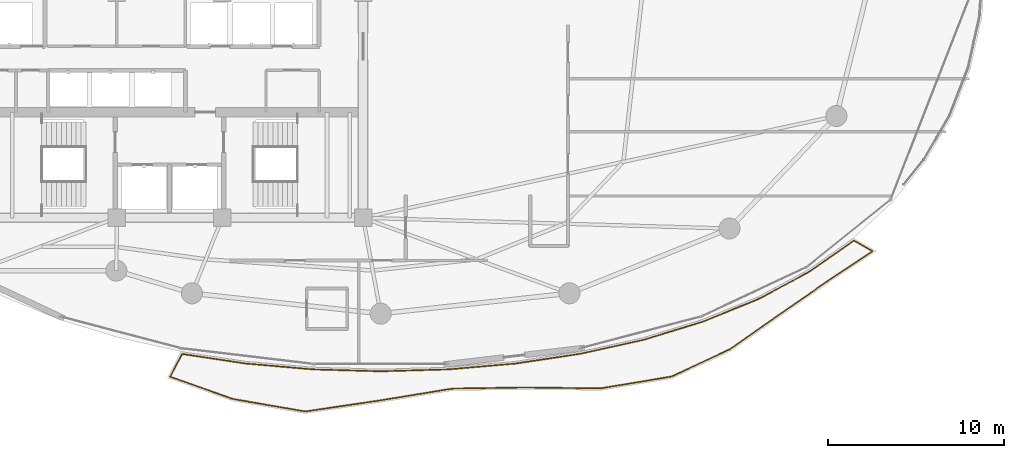
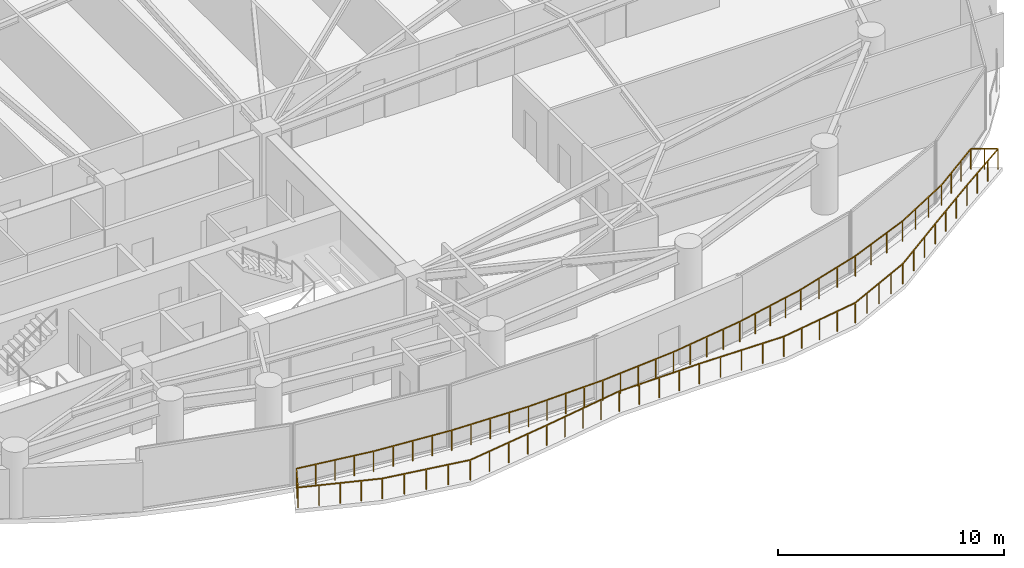
# One storey, part 32 of 34: 1 railing.
"""IFC4 building model written with IfcOpenShell, lengths in metres."""

from ifc_helpers import new_model, si_unit, direction, frame, origin, origin_2d, place, context, subcontext, project, spatial, rectangle, extrude, material, type_object, element, save


model = new_model("IFC4")

# Units and contexts
model_context = context("Model", 3, precision=1e-05, world=origin(), true_north=direction((0.0, 1.0)))
body_context = subcontext(model_context, "Body", "Model", "MODEL_VIEW")
ifc_project = project(units=[si_unit("LENGTHUNIT", "METRE"), si_unit("AREAUNIT", "SQUARE_METRE"), si_unit("VOLUMEUNIT", "CUBIC_METRE"), si_unit("PLANEANGLEUNIT", "RADIAN"), si_unit("MASSUNIT", "GRAM", prefix="KILO")], contexts=[model_context])

# Site, building, storey
site_placement = place(None, origin())
site = spatial("IfcSite", under=ifc_project, at=site_placement, CompositionType="ELEMENT")
building_placement = place(site_placement, origin())
building = spatial("IfcBuilding", under=site, at=building_placement, Name="Kazevale Care Tower and Concert Hall", CompositionType="ELEMENT")
storey_placement = place(building_placement, frame((0.0, 0.0, 171.0)))
storey = spatial("IfcBuildingStorey", under=building, at=storey_placement, Name="L45", CompositionType="ELEMENT", Elevation=171.0)

# Railing
ifc_material = material(Name="Anodised Bronze Aluminium and Laminated Glass", Category="aluminium")
railing_type = type_object("IfcRailingType", Name="Balcony and Terrace Balustrade 1120", PredefinedType="BALUSTRADE", material=ifc_material)
railing_placement = place(storey_placement, frame((33.702880859375, 15.861083984375, 0.0)))
element("IfcRailing", 1, at=railing_placement, inside=storey, type_object=railing_type, Name="rail:L45:balcony", PredefinedType="BALUSTRADE", context=body_context, shape_type="SweptSolid", body=[
    extrude(rectangle(XDim=0.048095703125, YDim=0.048095703125, at=origin_2d()), frame((0.0, 0.0, 1.09619140625), z_axis=(0.988898738041, -0.148591002089, 0.0), x_axis=(0.148591002089, 0.988898738041, 0.0)), (0.0, 0.0, 1.0), 3.6689453125),
    extrude(rectangle(XDim=0.048095703125, YDim=0.048095703125, at=origin_2d()), frame((3.628173828125, -0.545166015625, 1.09619140625), z_axis=(0.996251838222, -0.086500143585, 0.0), x_axis=(0.086500143585, 0.996251838222, 0.0)), (0.0, 0.0, 1.0), 3.824462890625),
    extrude(rectangle(XDim=0.048095703125, YDim=0.048095703125, at=origin_2d()), frame((7.438232421875, -0.8759765625, 1.09619140625), z_axis=(0.999593168995, -0.028521860004, 0.0), x_axis=(0.028521860004, 0.999593168995, 0.0)), (0.0, 0.0, 1.0), 3.8603515625),
    extrude(rectangle(XDim=0.048095703125, YDim=0.048095703125, at=origin_2d()), frame((11.297119140625, -0.986083984375, 1.09619140625), z_axis=(0.999593168995, 0.028521860004, 0.0), x_axis=(-0.028521860004, 0.999593168995, 0.0)), (0.0, 0.0, 1.0), 3.8603515625),
    extrude(rectangle(XDim=0.048095703125, YDim=0.048095703125, at=origin_2d()), frame((15.156005859375, -0.8759765625, 1.09619140625), z_axis=(0.996251838222, 0.086500143585, 0.0), x_axis=(-0.086500143585, 0.996251838222, 0.0)), (0.0, 0.0, 1.0), 3.824462890625),
    extrude(rectangle(XDim=0.048095703125, YDim=0.048095703125, at=origin_2d()), frame((18.966064453125, -0.545166015625, 1.09619140625), z_axis=(0.988903437953, 0.148559719995, 0.0), x_axis=(-0.148559719995, 0.988903437953, 0.0)), (0.0, 0.0, 1.0), 3.7568359375),
    extrude(rectangle(XDim=0.048095703125, YDim=0.048095703125, at=origin_2d()), frame((22.68115234375, 0.012939453125, 1.09619140625), z_axis=(0.9762591871, 0.216605631512, 0.0), x_axis=(-0.216605631512, 0.9762591871, 0.0)), (0.0, 0.0, 1.0), 3.660888671875),
    extrude(rectangle(XDim=0.048095703125, YDim=0.048095703125, at=origin_2d()), frame((26.255126953125, 0.805908203125, 1.09619140625), z_axis=(0.956153868694, 0.292864780028, 0.0), x_axis=(-0.292864780028, 0.956153868694, 0.0)), (0.0, 0.0, 1.0), 3.541259765625),
    extrude(rectangle(XDim=0.048095703125, YDim=0.048095703125, at=origin_2d()), frame((29.64111328125, 1.843017578125, 1.09619140625), z_axis=(0.925821569017, 0.377960874089, 0.0), x_axis=(-0.377960874089, 0.925821569017, 0.0)), (0.0, 0.0, 1.0), 3.409912109375),
    extrude(rectangle(XDim=0.048095703125, YDim=0.048095703125, at=origin_2d()), frame((32.798095703125, 3.1318359375, 1.09619140625), z_axis=(0.881173131857, 0.472793730598, 0.0), x_axis=(-0.472793730598, 0.881173131857, 0.0)), (0.0, 0.0, 1.0), 3.278564453125),
    extrude(rectangle(XDim=0.048095703125, YDim=0.048095703125, at=origin_2d()), frame((35.68701171875, 4.681884765625, 1.09619140625), z_axis=(0.818641866863, 0.574304356435, 0.0), x_axis=(-0.574304356435, 0.818641866863, 0.0)), (0.0, 0.0, 1.0), 3.073486328125),
    extrude(rectangle(XDim=0.048095703125, YDim=0.048095703125, at=origin_2d()), frame((38.203125, 6.447021484375, 1.09619140625), z_axis=(0.865532315274, -0.500853083465, 0.0), x_axis=(0.500853083465, 0.865532315274, 0.0)), (0.0, 0.0, 1.0), 1.20849609375),
    extrude(rectangle(XDim=0.048095703125, YDim=0.048095703125, at=origin_2d()), frame((39.2490234375, 5.841796875, 1.09619140625), z_axis=(-0.830846210316, -0.556502088768, 0.0), x_axis=(0.556502088768, -0.830846210316, 0.0)), (0.0, 0.0, 1.0), 3.12451171875),
    extrude(rectangle(XDim=0.048095703125, YDim=0.048095703125, at=origin_2d()), frame((36.653076171875, 4.10302734375, 1.09619140625), z_axis=(-0.821612902849, -0.570045820853, 0.0), x_axis=(0.570045820853, -0.821612902849, 0.0)), (0.0, 0.0, 1.0), 3.294677734375),
    extrude(rectangle(XDim=0.048095703125, YDim=0.048095703125, at=origin_2d()), frame((33.946044921875, 2.224853515625, 1.09619140625), z_axis=(-0.818241923671, -0.57487403346, 0.0), x_axis=(0.57487403346, -0.818241923671, 0.0)), (0.0, 0.0, 1.0), 3.398681640625),
    extrude(rectangle(XDim=0.048095703125, YDim=0.048095703125, at=origin_2d()), frame((31.1650390625, 0.27099609375, 1.09619140625), z_axis=(-0.906288077523, -0.422660526356, 0.0), x_axis=(0.422660526356, -0.906288077523, 0.0)), (0.0, 0.0, 1.0), 3.68408203125),
    extrude(rectangle(XDim=0.048095703125, YDim=0.048095703125, at=origin_2d()), frame((27.826171875, -1.2861328125, 1.09619140625), z_axis=(-0.986405218628, -0.164331204169, 0.0), x_axis=(0.164331204169, -0.986405218628, 0.0)), (0.0, 0.0, 1.0), 4.088623046875),
    extrude(rectangle(XDim=0.048095703125, YDim=0.048095703125, at=origin_2d()), frame((23.793212890625, -1.9580078125, 1.09619140625), z_axis=(-0.999924008454, 0.012327908064, 0.0), x_axis=(-0.012327908064, -0.999924008454, 0.0)), (0.0, 0.0, 1.0), 4.29736328125),
    extrude(rectangle(XDim=0.048095703125, YDim=0.048095703125, at=origin_2d()), frame((19.49609375, -1.905029296875, 1.09619140625), z_axis=(-0.999876578659, -0.015710743099, 0.0), x_axis=(0.015710743099, -0.999876578659, 0.0)), (0.0, 0.0, 1.0), 4.133544921875),
    extrude(rectangle(XDim=0.048095703125, YDim=0.048095703125, at=origin_2d()), frame((15.363037109375, -1.969970703125, 1.09619140625), z_axis=(-0.986839859292, -0.161700624959, 0.0), x_axis=(0.161700624959, -0.986839859292, 0.0)), (0.0, 0.0, 1.0), 4.138427734375),
    extrude(rectangle(XDim=0.048095703125, YDim=0.048095703125, at=origin_2d()), frame((11.279052734375, -2.63916015625, 1.09619140625), z_axis=(-0.989290630996, -0.14595906078, 0.0), x_axis=(0.14595906078, -0.989290630996, 0.0)), (0.0, 0.0, 1.0), 4.322265625),
    extrude(rectangle(XDim=0.048095703125, YDim=0.048095703125, at=origin_2d()), frame((7.003173828125, -3.27001953125, 1.09619140625), z_axis=(-0.985347658742, 0.170557882875, 0.0), x_axis=(-0.170557882875, -0.985347658742, 0.0)), (0.0, 0.0, 1.0), 4.15673828125),
    extrude(rectangle(XDim=0.048095703125, YDim=0.048095703125, at=origin_2d()), frame((2.9072265625, -2.56103515625, 1.09619140625), z_axis=(-0.942765547194, 0.33345632851, 0.0), x_axis=(-0.33345632851, -0.942765547194, 0.0)), (0.0, 0.0, 1.0), 3.793212890625),
    extrude(rectangle(XDim=0.048095703125, YDim=0.048095703125, at=origin_2d()), frame((-0.6689453125, -1.296142578125, 1.09619140625), z_axis=(0.458625865182, 0.888629459216, 0.0), x_axis=(-0.888629459216, 0.458625865182, 0.0)), (0.0, 0.0, 1.0), 1.45849609375),
    extrude(rectangle(XDim=0.0419921875, YDim=0.0419921875, at=origin_2d()), origin(), (0.0, 0.0, 1.0), 1.072021484375),
    extrude(rectangle(XDim=0.0419921875, YDim=0.0419921875, at=origin_2d()), frame((0.906982421875, -0.13623046875, 0.0)), (0.0, 0.0, 1.0), 1.072021484375),
    extrude(rectangle(XDim=0.0419921875, YDim=0.0419921875, at=origin_2d()), frame((1.81396484375, -0.2724609375, 0.0)), (0.0, 0.0, 1.0), 1.072021484375),
    extrude(rectangle(XDim=0.0419921875, YDim=0.0419921875, at=origin_2d()), frame((2.72119140625, -0.408935546875, 0.0)), (0.0, 0.0, 1.0), 1.072021484375),
    extrude(rectangle(XDim=0.0419921875, YDim=0.0419921875, at=origin_2d()), frame((3.628173828125, -0.545166015625, 0.0)), (0.0, 0.0, 1.0), 1.072021484375),
    extrude(rectangle(XDim=0.0419921875, YDim=0.0419921875, at=origin_2d()), frame((4.58056640625, -0.6279296875, 0.0)), (0.0, 0.0, 1.0), 1.072021484375),
    extrude(rectangle(XDim=0.0419921875, YDim=0.0419921875, at=origin_2d()), frame((5.533203125, -0.71044921875, 0.0)), (0.0, 0.0, 1.0), 1.072021484375),
    extrude(rectangle(XDim=0.0419921875, YDim=0.0419921875, at=origin_2d()), frame((6.48583984375, -0.793212890625, 0.0)), (0.0, 0.0, 1.0), 1.072021484375),
    extrude(rectangle(XDim=0.0419921875, YDim=0.0419921875, at=origin_2d()), frame((7.438232421875, -0.8759765625, 0.0)), (0.0, 0.0, 1.0), 1.072021484375),
    extrude(rectangle(XDim=0.0419921875, YDim=0.0419921875, at=origin_2d()), frame((8.40283203125, -0.903564453125, 0.0)), (0.0, 0.0, 1.0), 1.072021484375),
    extrude(rectangle(XDim=0.0419921875, YDim=0.0419921875, at=origin_2d()), frame((9.36767578125, -0.93115234375, 0.0)), (0.0, 0.0, 1.0), 1.072021484375),
    extrude(rectangle(XDim=0.0419921875, YDim=0.0419921875, at=origin_2d()), frame((10.33251953125, -0.95849609375, 0.0)), (0.0, 0.0, 1.0), 1.072021484375),
    extrude(rectangle(XDim=0.0419921875, YDim=0.0419921875, at=origin_2d()), frame((11.297119140625, -0.986083984375, 0.0)), (0.0, 0.0, 1.0), 1.072021484375),
    extrude(rectangle(XDim=0.0419921875, YDim=0.0419921875, at=origin_2d()), frame((12.26171875, -0.95849609375, 0.0)), (0.0, 0.0, 1.0), 1.072021484375),
    extrude(rectangle(XDim=0.0419921875, YDim=0.0419921875, at=origin_2d()), frame((13.2265625, -0.93115234375, 0.0)), (0.0, 0.0, 1.0), 1.072021484375),
    extrude(rectangle(XDim=0.0419921875, YDim=0.0419921875, at=origin_2d()), frame((14.19140625, -0.903564453125, 0.0)), (0.0, 0.0, 1.0), 1.072021484375),
    extrude(rectangle(XDim=0.0419921875, YDim=0.0419921875, at=origin_2d()), frame((15.156005859375, -0.8759765625, 0.0)), (0.0, 0.0, 1.0), 1.072021484375),
    extrude(rectangle(XDim=0.0419921875, YDim=0.0419921875, at=origin_2d()), frame((16.1083984375, -0.793212890625, 0.0)), (0.0, 0.0, 1.0), 1.072021484375),
    extrude(rectangle(XDim=0.0419921875, YDim=0.0419921875, at=origin_2d()), frame((17.06103515625, -0.71044921875, 0.0)), (0.0, 0.0, 1.0), 1.072021484375),
    extrude(rectangle(XDim=0.0419921875, YDim=0.0419921875, at=origin_2d()), frame((18.013671875, -0.6279296875, 0.0)), (0.0, 0.0, 1.0), 1.072021484375),
    extrude(rectangle(XDim=0.0419921875, YDim=0.0419921875, at=origin_2d()), frame((18.966064453125, -0.545166015625, 0.0)), (0.0, 0.0, 1.0), 1.072021484375),
    extrude(rectangle(XDim=0.0419921875, YDim=0.0419921875, at=origin_2d()), frame((19.894775390625, -0.40576171875, 0.0)), (0.0, 0.0, 1.0), 1.072021484375),
    extrude(rectangle(XDim=0.0419921875, YDim=0.0419921875, at=origin_2d()), frame((20.82373046875, -0.26611328125, 0.0)), (0.0, 0.0, 1.0), 1.072021484375),
    extrude(rectangle(XDim=0.0419921875, YDim=0.0419921875, at=origin_2d()), frame((21.75244140625, -0.12646484375, 0.0)), (0.0, 0.0, 1.0), 1.072021484375),
    extrude(rectangle(XDim=0.0419921875, YDim=0.0419921875, at=origin_2d()), frame((22.68115234375, 0.012939453125, 0.0)), (0.0, 0.0, 1.0), 1.072021484375),
    extrude(rectangle(XDim=0.0419921875, YDim=0.0419921875, at=origin_2d()), frame((23.57470703125, 0.211181640625, 0.0)), (0.0, 0.0, 1.0), 1.072021484375),
    extrude(rectangle(XDim=0.0419921875, YDim=0.0419921875, at=origin_2d()), frame((24.46826171875, 0.409423828125, 0.0)), (0.0, 0.0, 1.0), 1.072021484375),
    extrude(rectangle(XDim=0.0419921875, YDim=0.0419921875, at=origin_2d()), frame((25.361572265625, 0.607666015625, 0.0)), (0.0, 0.0, 1.0), 1.072021484375),
    extrude(rectangle(XDim=0.0419921875, YDim=0.0419921875, at=origin_2d()), frame((26.255126953125, 0.805908203125, 0.0)), (0.0, 0.0, 1.0), 1.072021484375),
    extrude(rectangle(XDim=0.0419921875, YDim=0.0419921875, at=origin_2d()), frame((27.3837890625, 1.151611328125, 0.0)), (0.0, 0.0, 1.0), 1.072021484375),
    extrude(rectangle(XDim=0.0419921875, YDim=0.0419921875, at=origin_2d()), frame((28.512451171875, 1.497314453125, 0.0)), (0.0, 0.0, 1.0), 1.072021484375),
    extrude(rectangle(XDim=0.0419921875, YDim=0.0419921875, at=origin_2d()), frame((29.64111328125, 1.843017578125, 0.0)), (0.0, 0.0, 1.0), 1.072021484375),
    extrude(rectangle(XDim=0.0419921875, YDim=0.0419921875, at=origin_2d()), frame((30.693359375, 2.272705078125, 0.0)), (0.0, 0.0, 1.0), 1.072021484375),
    extrude(rectangle(XDim=0.0419921875, YDim=0.0419921875, at=origin_2d()), frame((31.745849609375, 2.7021484375, 0.0)), (0.0, 0.0, 1.0), 1.072021484375),
    extrude(rectangle(XDim=0.0419921875, YDim=0.0419921875, at=origin_2d()), frame((32.798095703125, 3.1318359375, 0.0)), (0.0, 0.0, 1.0), 1.072021484375),
    extrude(rectangle(XDim=0.0419921875, YDim=0.0419921875, at=origin_2d()), frame((33.760986328125, 3.6484375, 0.0)), (0.0, 0.0, 1.0), 1.072021484375),
    extrude(rectangle(XDim=0.0419921875, YDim=0.0419921875, at=origin_2d()), frame((34.72412109375, 4.165283203125, 0.0)), (0.0, 0.0, 1.0), 1.072021484375),
    extrude(rectangle(XDim=0.0419921875, YDim=0.0419921875, at=origin_2d()), frame((35.68701171875, 4.681884765625, 0.0)), (0.0, 0.0, 1.0), 1.072021484375),
    extrude(rectangle(XDim=0.0419921875, YDim=0.0419921875, at=origin_2d()), frame((36.525634765625, 5.270263671875, 0.0)), (0.0, 0.0, 1.0), 1.072021484375),
    extrude(rectangle(XDim=0.0419921875, YDim=0.0419921875, at=origin_2d()), frame((37.364501953125, 5.858642578125, 0.0)), (0.0, 0.0, 1.0), 1.072021484375),
    extrude(rectangle(XDim=0.0419921875, YDim=0.0419921875, at=origin_2d()), frame((38.203125, 6.447021484375, 0.0)), (0.0, 0.0, 1.0), 1.072021484375),
    extrude(rectangle(XDim=0.0419921875, YDim=0.0419921875, at=origin_2d()), frame((38.72607421875, 6.14453125, 0.0)), (0.0, 0.0, 1.0), 1.072021484375),
    extrude(rectangle(XDim=0.0419921875, YDim=0.0419921875, at=origin_2d()), frame((39.2490234375, 5.841796875, 0.0)), (0.0, 0.0, 1.0), 1.072021484375),
    extrude(rectangle(XDim=0.0419921875, YDim=0.0419921875, at=origin_2d()), frame((38.3837890625, 5.26220703125, 0.0)), (0.0, 0.0, 1.0), 1.072021484375),
    extrude(rectangle(XDim=0.0419921875, YDim=0.0419921875, at=origin_2d()), frame((37.518310546875, 4.6826171875, 0.0)), (0.0, 0.0, 1.0), 1.072021484375),
    extrude(rectangle(XDim=0.0419921875, YDim=0.0419921875, at=origin_2d()), frame((36.653076171875, 4.10302734375, 0.0)), (0.0, 0.0, 1.0), 1.072021484375),
    extrude(rectangle(XDim=0.0419921875, YDim=0.0419921875, at=origin_2d()), frame((35.750732421875, 3.47705078125, 0.0)), (0.0, 0.0, 1.0), 1.072021484375),
    extrude(rectangle(XDim=0.0419921875, YDim=0.0419921875, at=origin_2d()), frame((34.848388671875, 2.850830078125, 0.0)), (0.0, 0.0, 1.0), 1.072021484375),
    extrude(rectangle(XDim=0.0419921875, YDim=0.0419921875, at=origin_2d()), frame((33.946044921875, 2.224853515625, 0.0)), (0.0, 0.0, 1.0), 1.072021484375),
    extrude(rectangle(XDim=0.0419921875, YDim=0.0419921875, at=origin_2d()), frame((33.01904296875, 1.573486328125, 0.0)), (0.0, 0.0, 1.0), 1.072021484375),
    extrude(rectangle(XDim=0.0419921875, YDim=0.0419921875, at=origin_2d()), frame((32.092041015625, 0.92236328125, 0.0)), (0.0, 0.0, 1.0), 1.072021484375),
    extrude(rectangle(XDim=0.0419921875, YDim=0.0419921875, at=origin_2d()), frame((31.1650390625, 0.27099609375, 0.0)), (0.0, 0.0, 1.0), 1.072021484375),
    extrude(rectangle(XDim=0.0419921875, YDim=0.0419921875, at=origin_2d()), frame((30.330322265625, -0.1181640625, 0.0)), (0.0, 0.0, 1.0), 1.072021484375),
    extrude(rectangle(XDim=0.0419921875, YDim=0.0419921875, at=origin_2d()), frame((29.49560546875, -0.507568359375, 0.0)), (0.0, 0.0, 1.0), 1.072021484375),
    extrude(rectangle(XDim=0.0419921875, YDim=0.0419921875, at=origin_2d()), frame((28.660888671875, -0.89697265625, 0.0)), (0.0, 0.0, 1.0), 1.072021484375),
    extrude(rectangle(XDim=0.0419921875, YDim=0.0419921875, at=origin_2d()), frame((27.826171875, -1.2861328125, 0.0)), (0.0, 0.0, 1.0), 1.072021484375),
    extrude(rectangle(XDim=0.0419921875, YDim=0.0419921875, at=origin_2d()), frame((26.81787109375, -1.4541015625, 0.0)), (0.0, 0.0, 1.0), 1.072021484375),
    extrude(rectangle(XDim=0.0419921875, YDim=0.0419921875, at=origin_2d()), frame((25.8095703125, -1.6220703125, 0.0)), (0.0, 0.0, 1.0), 1.072021484375),
    extrude(rectangle(XDim=0.0419921875, YDim=0.0419921875, at=origin_2d()), frame((24.801513671875, -1.7900390625, 0.0)), (0.0, 0.0, 1.0), 1.072021484375),
    extrude(rectangle(XDim=0.0419921875, YDim=0.0419921875, at=origin_2d()), frame((23.793212890625, -1.9580078125, 0.0)), (0.0, 0.0, 1.0), 1.072021484375),
    extrude(rectangle(XDim=0.0419921875, YDim=0.0419921875, at=origin_2d()), frame((22.718994140625, -1.94482421875, 0.0)), (0.0, 0.0, 1.0), 1.072021484375),
    extrude(rectangle(XDim=0.0419921875, YDim=0.0419921875, at=origin_2d()), frame((21.64453125, -1.931640625, 0.0)), (0.0, 0.0, 1.0), 1.072021484375),
    extrude(rectangle(XDim=0.0419921875, YDim=0.0419921875, at=origin_2d()), frame((20.5703125, -1.918212890625, 0.0)), (0.0, 0.0, 1.0), 1.072021484375),
    extrude(rectangle(XDim=0.0419921875, YDim=0.0419921875, at=origin_2d()), frame((19.49609375, -1.905029296875, 0.0)), (0.0, 0.0, 1.0), 1.072021484375),
    extrude(rectangle(XDim=0.0419921875, YDim=0.0419921875, at=origin_2d()), frame((18.462890625, -1.92138671875, 0.0)), (0.0, 0.0, 1.0), 1.072021484375),
    extrude(rectangle(XDim=0.0419921875, YDim=0.0419921875, at=origin_2d()), frame((17.4296875, -1.9375, 0.0)), (0.0, 0.0, 1.0), 1.072021484375),
    extrude(rectangle(XDim=0.0419921875, YDim=0.0419921875, at=origin_2d()), frame((16.396240234375, -1.95361328125, 0.0)), (0.0, 0.0, 1.0), 1.072021484375),
    extrude(rectangle(XDim=0.0419921875, YDim=0.0419921875, at=origin_2d()), frame((15.363037109375, -1.969970703125, 0.0)), (0.0, 0.0, 1.0), 1.072021484375),
    extrude(rectangle(XDim=0.0419921875, YDim=0.0419921875, at=origin_2d()), frame((14.342041015625, -2.13720703125, 0.0)), (0.0, 0.0, 1.0), 1.072021484375),
    extrude(rectangle(XDim=0.0419921875, YDim=0.0419921875, at=origin_2d()), frame((13.321044921875, -2.3046875, 0.0)), (0.0, 0.0, 1.0), 1.072021484375),
    extrude(rectangle(XDim=0.0419921875, YDim=0.0419921875, at=origin_2d()), frame((12.300048828125, -2.471923828125, 0.0)), (0.0, 0.0, 1.0), 1.072021484375),
    extrude(rectangle(XDim=0.0419921875, YDim=0.0419921875, at=origin_2d()), frame((11.279052734375, -2.63916015625, 0.0)), (0.0, 0.0, 1.0), 1.072021484375),
    extrude(rectangle(XDim=0.0419921875, YDim=0.0419921875, at=origin_2d()), frame((10.2099609375, -2.796875, 0.0)), (0.0, 0.0, 1.0), 1.072021484375),
    extrude(rectangle(XDim=0.0419921875, YDim=0.0419921875, at=origin_2d()), frame((9.14111328125, -2.95458984375, 0.0)), (0.0, 0.0, 1.0), 1.072021484375),
    extrude(rectangle(XDim=0.0419921875, YDim=0.0419921875, at=origin_2d()), frame((8.072265625, -3.1123046875, 0.0)), (0.0, 0.0, 1.0), 1.072021484375),
    extrude(rectangle(XDim=0.0419921875, YDim=0.0419921875, at=origin_2d()), frame((7.003173828125, -3.27001953125, 0.0)), (0.0, 0.0, 1.0), 1.072021484375),
    extrude(rectangle(XDim=0.0419921875, YDim=0.0419921875, at=origin_2d()), frame((5.979248046875, -3.0927734375, 0.0)), (0.0, 0.0, 1.0), 1.072021484375),
    extrude(rectangle(XDim=0.0419921875, YDim=0.0419921875, at=origin_2d()), frame((4.955078125, -2.91552734375, 0.0)), (0.0, 0.0, 1.0), 1.072021484375),
    extrude(rectangle(XDim=0.0419921875, YDim=0.0419921875, at=origin_2d()), frame((3.93115234375, -2.73828125, 0.0)), (0.0, 0.0, 1.0), 1.072021484375),
    extrude(rectangle(XDim=0.0419921875, YDim=0.0419921875, at=origin_2d()), frame((2.9072265625, -2.56103515625, 0.0)), (0.0, 0.0, 1.0), 1.072021484375),
    extrude(rectangle(XDim=0.0419921875, YDim=0.0419921875, at=origin_2d()), frame((2.01318359375, -2.244873046875, 0.0)), (0.0, 0.0, 1.0), 1.072021484375),
    extrude(rectangle(XDim=0.0419921875, YDim=0.0419921875, at=origin_2d()), frame((1.119140625, -1.9287109375, 0.0)), (0.0, 0.0, 1.0), 1.072021484375),
    extrude(rectangle(XDim=0.0419921875, YDim=0.0419921875, at=origin_2d()), frame((0.22509765625, -1.6123046875, 0.0)), (0.0, 0.0, 1.0), 1.072021484375),
    extrude(rectangle(XDim=0.0419921875, YDim=0.0419921875, at=origin_2d()), frame((-0.6689453125, -1.296142578125, 0.0)), (0.0, 0.0, 1.0), 1.072021484375),
    extrude(rectangle(XDim=0.0419921875, YDim=0.0419921875, at=origin_2d()), frame((-0.33447265625, -0.64794921875, 0.0)), (0.0, 0.0, 1.0), 1.072021484375),
])

save(model, "model.ifc")
